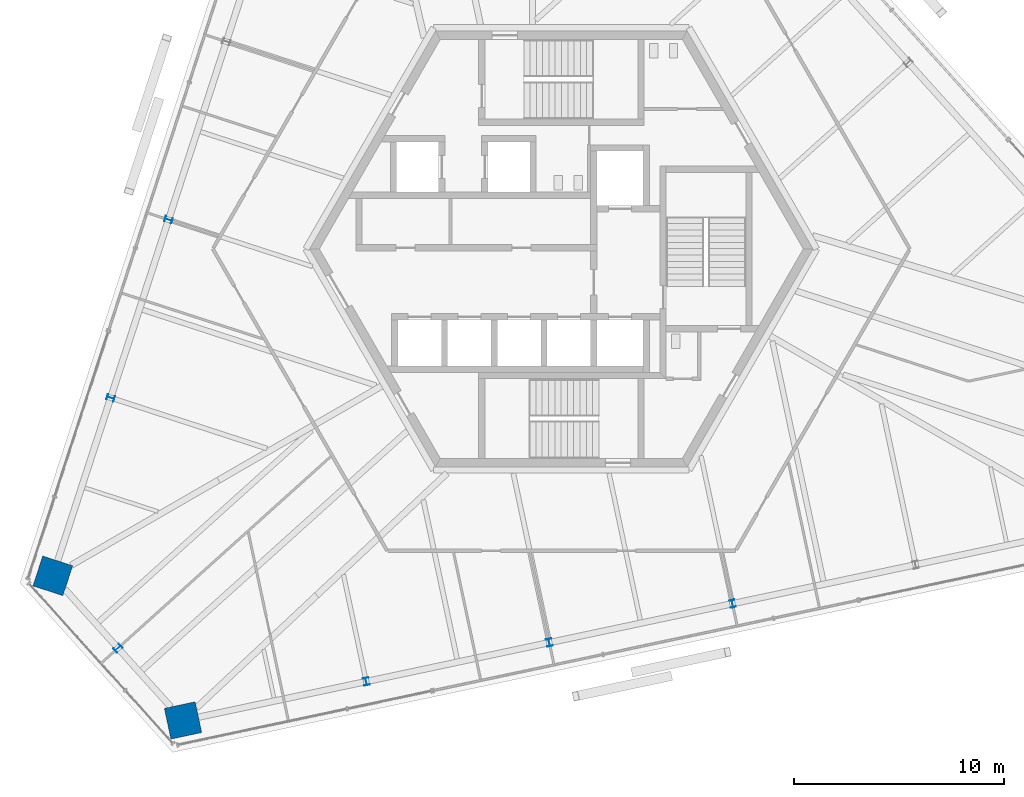
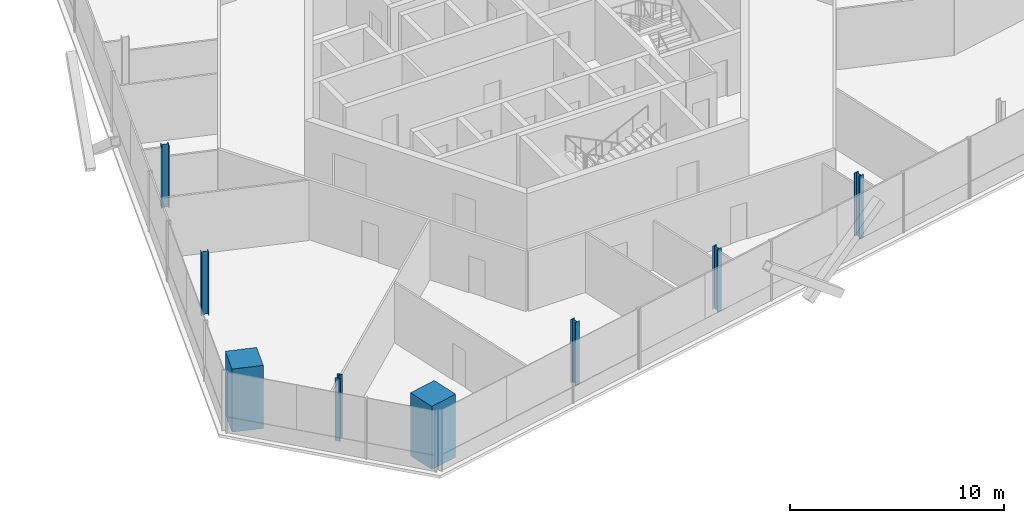
# One storey, part 1 of 15: 8 columns.
"""IFC4 building model written with IfcOpenShell, lengths in metres."""

from ifc_helpers import new_model, si_unit, direction, frame, origin, origin_2d, place, context, subcontext, project, spatial, rectangle, i_section, extrude, source, transform, mapped, material, material_profile, profile_set, type_object, element, save


model = new_model("IFC4")

# Units and contexts
model_context = context("Model", 3, precision=1e-05, world=origin(), true_north=direction((0.0, 1.0)))
body_context = subcontext(model_context, "Body", "Model", "MODEL_VIEW")
ifc_project = project(units=[si_unit("LENGTHUNIT", "METRE"), si_unit("AREAUNIT", "SQUARE_METRE"), si_unit("VOLUMEUNIT", "CUBIC_METRE"), si_unit("PLANEANGLEUNIT", "RADIAN"), si_unit("MASSUNIT", "GRAM", prefix="KILO")], contexts=[model_context])

# Site, building, storey
site_placement = place(None, origin())
site = spatial("IfcSite", under=ifc_project, at=site_placement, CompositionType="ELEMENT")
building_placement = place(site_placement, origin())
building = spatial("IfcBuilding", under=site, at=building_placement, Name="Triune Harvest Tower", CompositionType="ELEMENT")
storey_placement = place(building_placement, frame((0.0, 0.0, 277.5)))
storey = spatial("IfcBuildingStorey", under=building, at=storey_placement, Name="L73", CompositionType="ELEMENT", Elevation=277.5)

# Columns
ifc_material_1 = material(Name="Concrete 70 MPa", Category="concrete")
ifc_material_profile_1 = material_profile(ifc_material_1, rectangle(XDim=1.5, YDim=1.5, at=origin_2d()), Name="Composite 1500x1500")
ifc_profile_set_1 = profile_set([ifc_material_profile_1], Name="Concrete 70 MPa")
column_type_1 = type_object("IfcColumnType", Name="MC-7 Mega column Composite 1500x1500", PredefinedType="COLUMN", material=ifc_profile_set_1)
shared_shape_1 = source(origin(), body_context, "Body", "SweptSolid", [
    extrude(rectangle(XDim=1.5, YDim=1.5, at=origin_2d()), origin(), (0.0, 0.0, 1.0), 3.60009765625),
])
for number, where, z_axis, x_axis, name in (
    (1, (-24.24853515625, -15.58984375, 0.0), (0.0, 0.0, 1.0), (-0.309015334468, -0.95105705563, 0.0), "col/L73/M12"),
    (2, (-18.0390625, -22.486083984375, 0.0), (0.0, 0.0, 1.0), (0.978147237858, 0.207913398007, 0.0), "col/L73/M14"),
):
    element("IfcColumn", number, at=place(storey_placement, frame(where, z_axis=z_axis, x_axis=x_axis)), inside=storey, type_object=column_type_1, Name=name, PredefinedType="COLUMN", context=body_context, shape_type="MappedRepresentation", body=[
        mapped(shared_shape_1, transform((0.0, 0.0, 0.0), scale=1.0)),
    ])
ifc_material_2 = material(Name="Steel ASTM A992 Gr 50", Category="steel")
ifc_material_profile_2 = material_profile(ifc_material_2, i_section(OverallWidth=0.256591796875, OverallDepth=0.360595703125, WebThickness=0.011474609375, FlangeThickness=0.02001953125, at=origin_2d()), Name="W14x74")
ifc_profile_set_2 = profile_set([ifc_material_profile_2], Name="Steel ASTM A992 Gr 50")
column_type_2 = type_object("IfcColumnType", Name="PC-7 Perimeter column W14x74", PredefinedType="COLUMN", material=ifc_profile_set_2)
shared_shape_2 = source(origin(), body_context, "Body", "SweptSolid", [
    extrude(i_section(OverallWidth=0.256591796875, OverallDepth=0.360595703125, WebThickness=0.011474609375, FlangeThickness=0.02001953125, at=origin_2d()), origin(), (0.0, 0.0, 1.0), 3.60009765625),
])
for number, where, z_axis, x_axis, name in (
    (3, (-18.730712890625, 1.392333984375, 0.0), (0.0, 0.0, 1.0), (-0.309015334468, -0.95105705563, 0.0), "col/L73/P10"),
    (4, (-21.48974609375, -7.098876953125, 0.0), (0.0, 0.0, 1.0), (-0.309015334468, -0.95105705563, 0.0), "col/L73/P11"),
    (5, (-21.143798828125, -19.0380859375, 0.0), (0.0, 0.0, 1.0), (0.669129309325, -0.743145993329, 0.0), "col/L73/P13"),
    (6, (-9.30615234375, -20.6298828125, 0.0), (0.0, 0.0, 1.0), (0.978147237858, 0.207913398007, 0.0), "col/L73/P15"),
    (7, (-0.5732421875, -18.773681640625, 0.0), (0.0, 0.0, 1.0), (0.978147237858, 0.207913398007, 0.0), "col/L73/P16"),
    (8, (8.15966796875, -16.91748046875, 0.0), (0.0, 0.0, 1.0), (0.978147237858, 0.207913398007, 0.0), "col/L73/P17"),
):
    element("IfcColumn", number, at=place(storey_placement, frame(where, z_axis=z_axis, x_axis=x_axis)), inside=storey, type_object=column_type_2, Name=name, PredefinedType="COLUMN", context=body_context, shape_type="MappedRepresentation", body=[
        mapped(shared_shape_2, transform((0.0, 0.0, 0.0), scale=1.0)),
    ])

save(model, "model.ifc")
